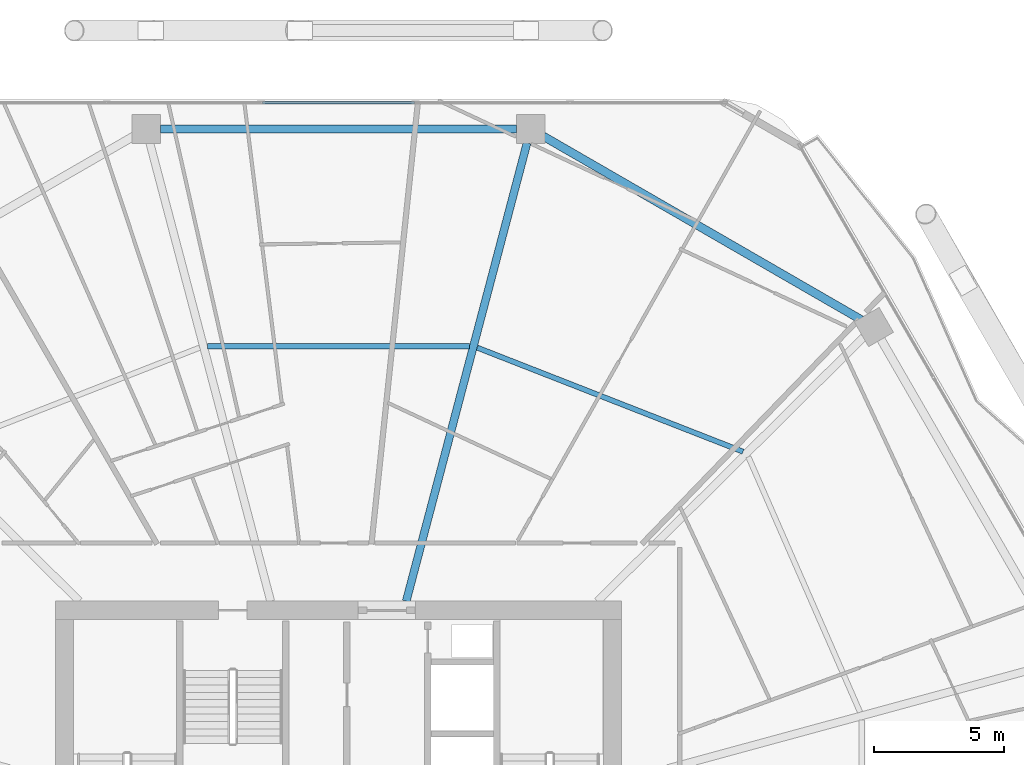
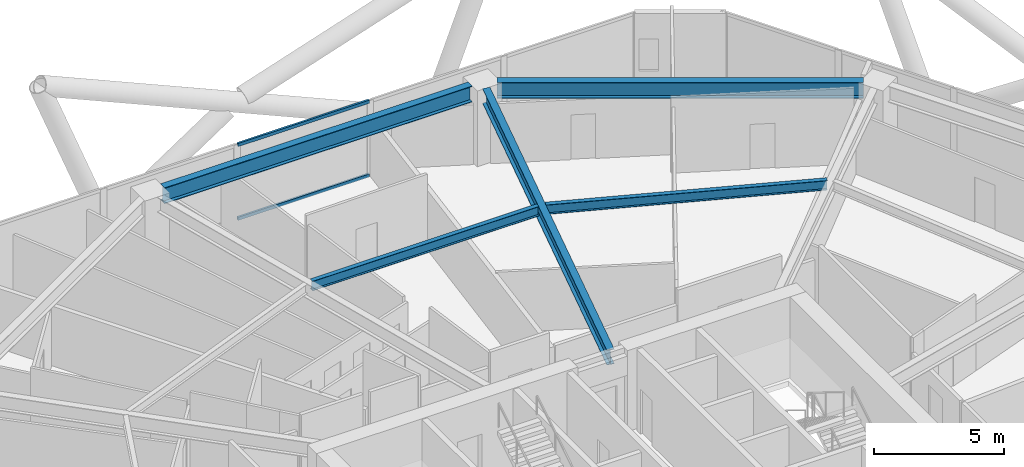
# One storey, part 21 of 34: 5 beams, 2 members, 1 element without a shape of its own.
"""IFC4 building model written with IfcOpenShell, lengths in metres."""

from ifc_helpers import new_model, si_unit, direction, frame, origin, origin_2d, place, context, subcontext, project, spatial, hollow_rectangle, i_section, extrude, material, material_profile, profile_set, type_object, element, aggregate, save


model = new_model("IFC4")

# Units and contexts
model_context = context("Model", 3, precision=1e-05, world=origin(), true_north=direction((0.0, 1.0)))
body_context = subcontext(model_context, "Body", "Model", "MODEL_VIEW")
ifc_project = project(units=[si_unit("LENGTHUNIT", "METRE"), si_unit("AREAUNIT", "SQUARE_METRE"), si_unit("VOLUMEUNIT", "CUBIC_METRE"), si_unit("PLANEANGLEUNIT", "RADIAN"), si_unit("MASSUNIT", "GRAM", prefix="KILO")], contexts=[model_context])

# Site, building, storey
site_placement = place(None, origin())
site = spatial("IfcSite", under=ifc_project, at=site_placement, CompositionType="ELEMENT")
building_placement = place(site_placement, origin())
building = spatial("IfcBuilding", under=site, at=building_placement, Name="Zuhravey Tower", CompositionType="ELEMENT")
storey_placement = place(building_placement, frame((0.0, 0.0, 100.0)))
storey = spatial("IfcBuildingStorey", under=building, at=storey_placement, Name="L24", CompositionType="ELEMENT", Elevation=100.0)

# Curtain wall, members
ifc_material_1 = material(Name="Thermally broken anodised aluminium", Category="aluminium")
curtain_wall_type = type_object("IfcCurtainWallType", Name="Zone 1-2 Residential Curtain Wall CW3", PredefinedType="NOTDEFINED", material=ifc_material_1)
curtain_wall_placement = place(storey_placement, origin())
curtain_wall = element("IfcCurtainWall", 1, at=curtain_wall_placement, inside=storey, type_object=curtain_wall_type, Name="L24 CW3 CW-L24-F2-1", PredefinedType="NOTDEFINED")
ifc_material_2 = material(Name="Anodised aluminium", Category="aluminium")
ifc_material_profile_1 = material_profile(ifc_material_2, hollow_rectangle(XDim=0.090087890625, YDim=0.14990234375, WallThickness=0.0048828125, at=origin_2d()), Name="ALU-RHS-90x150x5")
ifc_profile_set_1 = profile_set([ifc_material_profile_1], Name="Anodised aluminium")
member_type = type_object("IfcMemberType", Name="Curtain-Wall Transom 90x150", PredefinedType="USERDEFINED", material=ifc_profile_set_1)
member_1_placement = place(storey_placement, frame((33.085205078125, 60.95849609375, 0.044921875), z_axis=(1.0, 0.0, 0.0), x_axis=(0.0, 1.0, 0.0)))
member_1 = element("IfcMember", 2, at=member_1_placement, type_object=member_type, Name="CW3 transom 3.1", ObjectType="TRANSOM", PredefinedType="USERDEFINED", context=body_context, shape_type="SweptSolid", body=[
    extrude(hollow_rectangle(XDim=0.090087890625, YDim=0.14990234375, WallThickness=0.0048828125, at=origin_2d()), origin(), (0.0, 0.0, 1.0), 5.82958984375),
])
member_2_placement = place(storey_placement, frame((33.085205078125, 60.95849609375, 3.5048828125), z_axis=(1.0, 0.0, 0.0), x_axis=(0.0, 1.0, 0.0)))
member_2 = element("IfcMember", 3, at=member_2_placement, type_object=member_type, Name="CW3 transom 3.2", ObjectType="TRANSOM", PredefinedType="USERDEFINED", context=body_context, shape_type="SweptSolid", body=[
    extrude(hollow_rectangle(XDim=0.090087890625, YDim=0.14990234375, WallThickness=0.0048828125, at=origin_2d()), origin(), (0.0, 0.0, 1.0), 5.82958984375),
])
aggregate(curtain_wall, [member_1, member_2])

# Beams
ifc_material_3 = material(Name="Steel SM355", Category="steel")
ifc_material_profile_2 = material_profile(ifc_material_3, i_section(OverallWidth=0.320068359375, OverallDepth=0.75, WebThickness=0.013916015625, FlangeThickness=0.02490234375, at=origin_2d()), Name="H-750x320x14x25")
ifc_profile_set_2 = profile_set([ifc_material_profile_2], Name="Steel SM355")
beam_type_1 = type_object("IfcBeamType", Name="Perimeter Ring Beam H750x320", PredefinedType="BEAM", material=ifc_profile_set_2)
beam_1_placement = place(storey_placement, frame((56.0400390625, 52.63330078125, 3.175048828125), z_axis=(-0.866017786538, 0.500013193225, 0.0), x_axis=(-0.500013193225, -0.866017786538, 0.0)))
element("IfcBeam", 4, at=beam_1_placement, inside=storey, type_object=beam_type_1, Name="L24 PB1 BM-L24-PB-02", PredefinedType="BEAM", context=body_context, shape_type="SweptSolid", body=[
    extrude(i_section(OverallWidth=0.320068359375, OverallDepth=0.75, WebThickness=0.013916015625, FlangeThickness=0.02490234375, at=origin_2d()), origin(), (0.0, 0.0, 1.0), 14.0771484375),
])
beam_2_placement = place(storey_placement, frame((42.81689453125, 59.948486328125, 3.175048828125), z_axis=(-1.0, 0.0, 0.0), x_axis=(0.0, -1.0, 0.0)))
element("IfcBeam", 5, at=beam_2_placement, inside=storey, type_object=beam_type_1, Name="L24 PB1 BM-L24-PB-03", PredefinedType="BEAM", context=body_context, shape_type="SweptSolid", body=[
    extrude(i_section(OverallWidth=0.320068359375, OverallDepth=0.75, WebThickness=0.013916015625, FlangeThickness=0.02490234375, at=origin_2d()), origin(), (0.0, 0.0, 1.0), 13.6337890625),
])
ifc_material_profile_3 = material_profile(ifc_material_3, i_section(OverallWidth=0.300048828125, OverallDepth=0.699951171875, WebThickness=0.012939453125, FlangeThickness=0.02392578125, at=origin_2d()), Name="H-700x300x13x24")
ifc_profile_set_3 = profile_set([ifc_material_profile_3], Name="Steel SM355")
beam_type_2 = type_object("IfcBeamType", Name="Radial Primary Girder H700x300", PredefinedType="BEAM", material=ifc_profile_set_3)
beam_3_placement = place(storey_placement, frame((38.59814453125, 41.85302734375, 3.199951171875), z_axis=(0.25498755891, 0.966944333869, 0.0), x_axis=(-0.966944333869, 0.25498755891, 0.0)))
element("IfcBeam", 6, at=beam_3_placement, inside=storey, type_object=beam_type_2, Name="L24 RG1 BM-L24-RAD-03", PredefinedType="BEAM", context=body_context, shape_type="SweptSolid", body=[
    extrude(i_section(OverallWidth=0.300048828125, OverallDepth=0.699951171875, WebThickness=0.012939453125, FlangeThickness=0.02392578125, at=origin_2d()), origin(), (0.0, 0.0, 1.0), 18.1611328125),
])
ifc_material_profile_4 = material_profile(ifc_material_3, i_section(OverallWidth=0.199951171875, OverallDepth=0.449951171875, WebThickness=0.009033203125, FlangeThickness=0.013916015625, at=origin_2d()), Name="H-450x200x9x14")
ifc_profile_set_4 = profile_set([ifc_material_profile_4], Name="Steel SM355")
beam_type_3 = type_object("IfcBeamType", Name="Secondary Floor Joist H450x200", PredefinedType="JOIST", material=ifc_profile_set_4)
beam_4_placement = place(storey_placement, frame((51.50537109375, 47.581298828125, 3.324951171875), z_axis=(-0.931216764731, 0.364465824302, 0.0), x_axis=(-0.364465824302, -0.931216764731, 0.0)))
element("IfcBeam", 7, at=beam_4_placement, inside=storey, type_object=beam_type_3, Name="L24 SJ1 BM-L24-SJ-02-1", PredefinedType="JOIST", context=body_context, shape_type="SweptSolid", body=[
    extrude(i_section(OverallWidth=0.199951171875, OverallDepth=0.449951171875, WebThickness=0.009033203125, FlangeThickness=0.013916015625, at=origin_2d()), origin(), (0.0, 0.0, 1.0), 10.939453125),
])
beam_5_placement = place(storey_placement, frame((41.02099609375, 51.62451171875, 3.324951171875), z_axis=(-1.0, 0.0, 0.0), x_axis=(0.0, -1.0, 0.0)))
element("IfcBeam", 8, at=beam_5_placement, inside=storey, type_object=beam_type_3, Name="L24 SJ1 BM-L24-SJ-03-1", PredefinedType="JOIST", context=body_context, shape_type="SweptSolid", body=[
    extrude(i_section(OverallWidth=0.199951171875, OverallDepth=0.449951171875, WebThickness=0.009033203125, FlangeThickness=0.013916015625, at=origin_2d()), origin(), (0.0, 0.0, 1.0), 10.0419921875),
])

save(model, "model.ifc")
